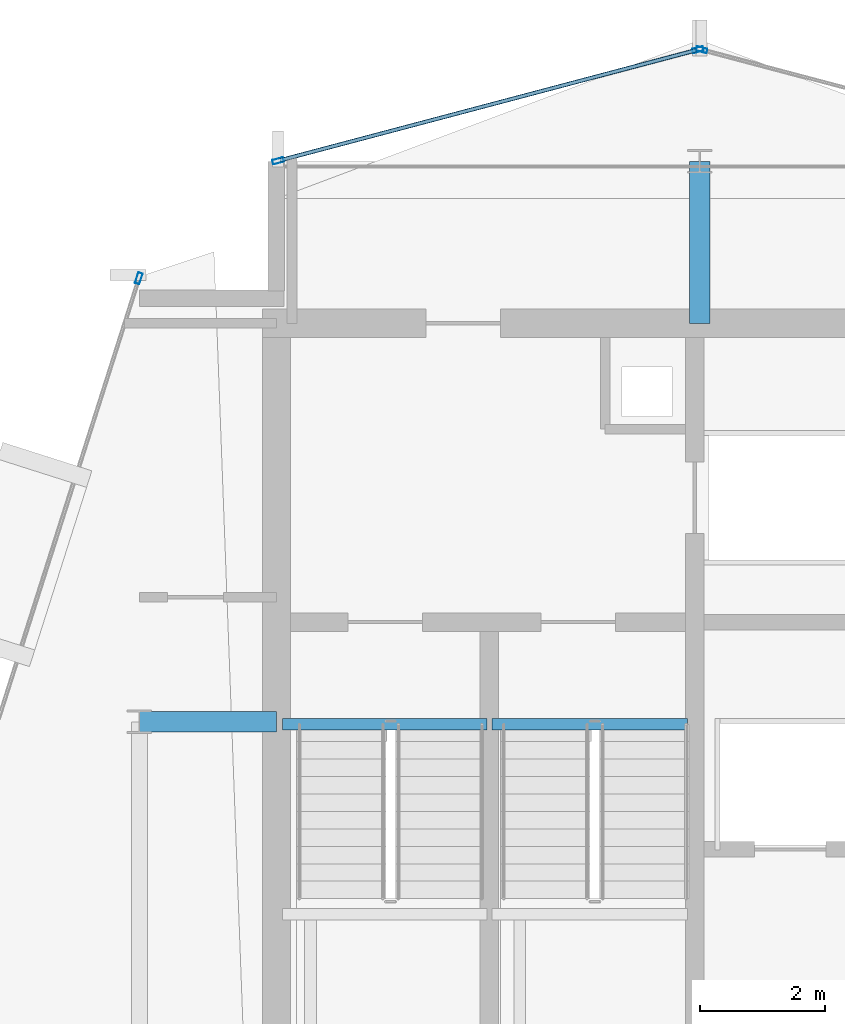
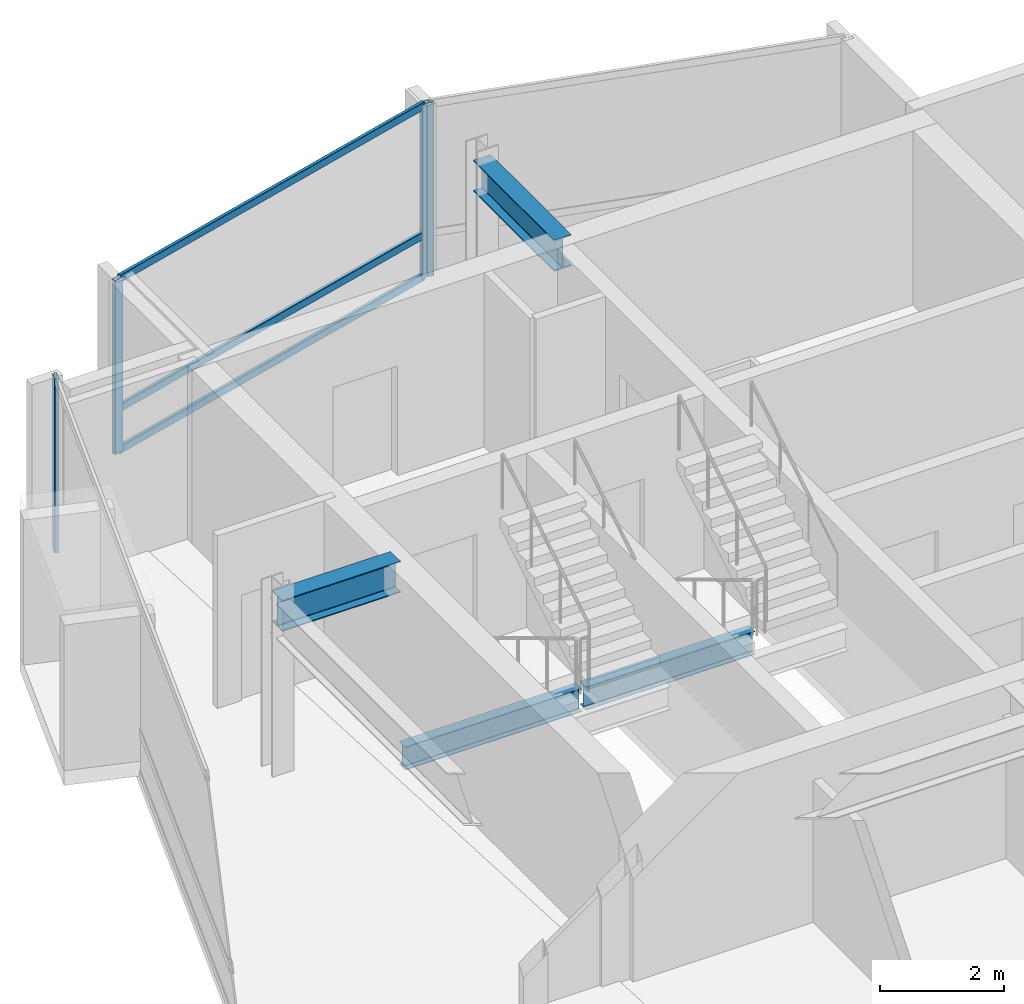
# One storey, part 11 of 19: 7 members, 4 beams, 3 elements without a shape of their own.
"""IFC4 building model written with IfcOpenShell, lengths in metres."""

from ifc_helpers import new_model, si_unit, direction, frame, origin, origin_2d, place, context, subcontext, project, spatial, hollow_rectangle, i_section, extrude, material, layer, layer_set, material_profile, profile_set, type_object, element, aggregate, save


model = new_model("IFC4")

# Units and contexts
model_context = context("Model", 3, precision=1e-05, world=origin(), true_north=direction((0.0, 1.0)))
body_context = subcontext(model_context, "Body", "Model", "MODEL_VIEW")
ifc_project = project(units=[si_unit("LENGTHUNIT", "METRE"), si_unit("AREAUNIT", "SQUARE_METRE"), si_unit("VOLUMEUNIT", "CUBIC_METRE"), si_unit("PLANEANGLEUNIT", "RADIAN"), si_unit("MASSUNIT", "GRAM", prefix="KILO")], contexts=[model_context])

# Site, building, storey
site_placement = place(None, origin())
site = spatial("IfcSite", under=ifc_project, at=site_placement, CompositionType="ELEMENT")
building_placement = place(site_placement, origin())
building = spatial("IfcBuilding", under=site, at=building_placement, Name="Solvaryn Broadcast Tower", CompositionType="ELEMENT")
storey_placement = place(building_placement, frame((0.0, 0.0, 270.39990234375)))
storey = spatial("IfcBuildingStorey", under=building, at=storey_placement, Name="L68", CompositionType="ELEMENT", Elevation=270.39990234375)

# Beams
ifc_material_1 = material(Name="Steel ASTM A992 Grade 50", Category="steel")
ifc_material_profile_1 = material_profile(ifc_material_1, i_section(OverallWidth=0.323974609375, OverallDepth=0.611083984375, WebThickness=0.0126953125, FlangeThickness=0.01904296875, FilletRadius=0.014892578125, at=origin_2d()))
ifc_profile_set_1 = profile_set([ifc_material_profile_1], Name="Steel ASTM A992 Grade 50")
beam_type_1 = type_object("IfcBeamType", Name="BM-B1-W24X104", PredefinedType="BEAM", material=ifc_profile_set_1)
beam_1_placement = place(storey_placement, frame((9.0, 36.0, 3.114501953125), z_axis=(1.0, 0.0, 0.0), x_axis=(0.0, 1.0, 0.0)))
element("IfcBeam", 1, at=beam_1_placement, inside=storey, type_object=beam_type_1, Name="L68 Core Tie Beam CTW1", PredefinedType="BEAM", context=body_context, shape_type="SweptSolid", body=[
    extrude(i_section(OverallWidth=0.323974609375, OverallDepth=0.611083984375, WebThickness=0.0126953125, FlangeThickness=0.01904296875, FilletRadius=0.014892578125, at=origin_2d()), origin(), (0.0, 0.0, 1.0), 2.199951171875),
])
beam_2_placement = place(storey_placement, frame((18.0, 42.39990234375, 3.114501953125), z_axis=(0.0, 1.0, 0.0), x_axis=(-1.0, 0.0, 0.0)))
element("IfcBeam", 2, at=beam_2_placement, inside=storey, type_object=beam_type_1, Name="L68 Core Tie Beam CTW3", PredefinedType="BEAM", context=body_context, shape_type="SweptSolid", body=[
    extrude(i_section(OverallWidth=0.323974609375, OverallDepth=0.611083984375, WebThickness=0.0126953125, FlangeThickness=0.01904296875, FilletRadius=0.014892578125, at=origin_2d()), origin(), (0.0, 0.0, 1.0), 2.60009765625),
])
ifc_material_2 = material(Name="Steel ASTM A992 Grade 50", Category="steel")
ifc_material_profile_2 = material_profile(ifc_material_2, i_section(OverallWidth=0.18994140625, OverallDepth=0.45703125, WebThickness=0.009033203125, FlangeThickness=0.014404296875, FilletRadius=0.011962890625, at=origin_2d()))
ifc_profile_set_2 = profile_set([ifc_material_profile_2], Name="Steel ASTM A992 Grade 50")
beam_type_2 = type_object("IfcBeamType", Name="BM-B4-W18X50", PredefinedType="BEAM", material=ifc_profile_set_2)
beam_3_placement = place(storey_placement, frame((11.300048828125, 35.9599609375, -0.50830078125), z_axis=(1.0, 0.0, 0.0), x_axis=(0.0, 1.0, 0.0)))
element("IfcBeam", 3, at=beam_3_placement, inside=storey, type_object=beam_type_2, Name="L68 ST1 Stair Well Trimmer Beam", PredefinedType="BEAM", context=body_context, shape_type="SweptSolid", body=[
    extrude(i_section(OverallWidth=0.18994140625, OverallDepth=0.45703125, WebThickness=0.009033203125, FlangeThickness=0.014404296875, FilletRadius=0.011962890625, at=origin_2d()), origin(), (0.0, 0.0, 1.0), 3.280029296875),
])
beam_4_placement = place(storey_placement, frame((14.659912109375, 35.9599609375, -0.50830078125), z_axis=(1.0, 0.0, 0.0), x_axis=(0.0, 1.0, 0.0)))
element("IfcBeam", 4, at=beam_4_placement, inside=storey, type_object=beam_type_2, Name="L68 ST2 Stair Well Trimmer Beam", PredefinedType="BEAM", context=body_context, shape_type="SweptSolid", body=[
    extrude(i_section(OverallWidth=0.18994140625, OverallDepth=0.45703125, WebThickness=0.009033203125, FlangeThickness=0.014404296875, FilletRadius=0.011962890625, at=origin_2d()), origin(), (0.0, 0.0, 1.0), 3.14013671875),
])

# Curtain wall, member
ifc_material_3 = material(Name="Aluminium and Terracotta Unitised Curtain Wall", Category="masonry")
ifc_layer = layer(ifc_material_3, 0.199951171875)
ifc_layer_set = layer_set([ifc_layer], Name="CW-SYS2-LOWMID")
curtain_wall_type = type_object("IfcCurtainWallType", Name="CW-SYS2-LOWMID", PredefinedType="NOTDEFINED", material=ifc_layer_set)
curtain_wall_1_placement = place(storey_placement, origin())
curtain_wall_1 = element("IfcCurtainWall", 5, at=curtain_wall_1_placement, inside=storey, type_object=curtain_wall_type, Name="L68 Curtain Wall DR1", PredefinedType="NOTDEFINED")
ifc_material_4 = material(Name="Anodised Aluminium 6063-T6", Category="aluminium")
ifc_material_profile_3 = material_profile(ifc_material_4, hollow_rectangle(XDim=0.074951171875, YDim=0.179931640625, WallThickness=0.00390625, InnerFilletRadius=0.00390625, OuterFilletRadius=0.008056640625, at=origin_2d()))
ifc_profile_set_3 = profile_set([ifc_material_profile_3], Name="Anodised Aluminium 6063-T6")
member_type_1 = type_object("IfcMemberType", Name="CW-MUL-180", PredefinedType="MULLION", material=ifc_profile_set_3)
member_1_placement = place(storey_placement, frame((8.990966796875, 43.120361328125, 0.0), z_axis=(0.0, 0.0, 1.0), x_axis=(0.952794594701, -0.30361564569, 0.0)))
member_1 = element("IfcMember", 6, at=member_1_placement, type_object=member_type_1, Name="CWS2 mullion 1", PredefinedType="MULLION", context=body_context, shape_type="SweptSolid", body=[
    extrude(hollow_rectangle(XDim=0.074951171875, YDim=0.179931640625, WallThickness=0.00390625, InnerFilletRadius=0.00390625, OuterFilletRadius=0.008056640625, at=origin_2d()), origin(), (0.0, 0.0, 1.0), 3.420166015625),
])
aggregate(curtain_wall_1, [member_1])

curtain_wall_2_placement = place(storey_placement, origin())
curtain_wall_2 = element("IfcCurtainWall", 7, at=curtain_wall_2_placement, inside=storey, type_object=curtain_wall_type, Name="L68 Curtain Wall NT1", PredefinedType="NOTDEFINED")
member_2_placement = place(storey_placement, frame((18.029052734375, 46.792236328125, 0.0), z_axis=(0.0, 0.0, 1.0), x_axis=(-0.25589256031, -0.966705227863, 0.0)))
member_2 = element("IfcMember", 8, at=member_2_placement, type_object=member_type_1, Name="CWS2 mullion 2", PredefinedType="MULLION", context=body_context, shape_type="SweptSolid", body=[
    extrude(hollow_rectangle(XDim=0.074951171875, YDim=0.179931640625, WallThickness=0.00390625, InnerFilletRadius=0.00390625, OuterFilletRadius=0.008056640625, at=origin_2d()), origin(), (0.0, 0.0, 1.0), 3.420166015625),
])
aggregate(curtain_wall_2, [member_2])

# Curtain wall, members
curtain_wall_3_placement = place(storey_placement, origin())
curtain_wall_3 = element("IfcCurtainWall", 9, at=curtain_wall_3_placement, inside=storey, type_object=curtain_wall_type, Name="L68 Curtain Wall NT2", PredefinedType="NOTDEFINED")
member_3_placement = place(storey_placement, frame((17.970947265625, 46.792236328125, 0.0), z_axis=(0.0, 0.0, 1.0), x_axis=(0.25589256031, -0.966705227863, 0.0)))
member_3 = element("IfcMember", 10, at=member_3_placement, type_object=member_type_1, Name="CWS2 mullion 1", PredefinedType="MULLION", context=body_context, shape_type="SweptSolid", body=[
    extrude(hollow_rectangle(XDim=0.074951171875, YDim=0.179931640625, WallThickness=0.00390625, InnerFilletRadius=0.00390625, OuterFilletRadius=0.008056640625, at=origin_2d()), origin(), (0.0, 0.0, 1.0), 3.420166015625),
])
member_4_placement = place(storey_placement, frame((11.22900390625, 45.007568359375, 0.0), z_axis=(0.0, 0.0, 1.0), x_axis=(0.25589256031, -0.966705227863, 0.0)))
member_4 = element("IfcMember", 11, at=member_4_placement, type_object=member_type_1, Name="CWS2 mullion 2", PredefinedType="MULLION", context=body_context, shape_type="SweptSolid", body=[
    extrude(hollow_rectangle(XDim=0.074951171875, YDim=0.179931640625, WallThickness=0.00390625, InnerFilletRadius=0.00390625, OuterFilletRadius=0.008056640625, at=origin_2d()), origin(), (0.0, 0.0, 1.0), 3.420166015625),
])
ifc_material_5 = material(Name="Anodised Aluminium 6063-T6", Category="aluminium")
ifc_material_profile_4 = material_profile(ifc_material_5, hollow_rectangle(XDim=0.06494140625, YDim=0.14990234375, WallThickness=0.00390625, InnerFilletRadius=0.00390625, OuterFilletRadius=0.008056640625, at=origin_2d()))
ifc_profile_set_4 = profile_set([ifc_material_profile_4], Name="Anodised Aluminium 6063-T6")
member_type_2 = type_object("IfcMemberType", Name="CW-TRN-150", PredefinedType="USERDEFINED", material=ifc_profile_set_4)
member_5_placement = place(storey_placement, frame((17.94189453125, 46.78466796875, 0.030029296875), z_axis=(-0.966703943301, -0.255897413051, 0.0), x_axis=(0.255897413051, -0.966703943301, 0.0)))
member_5 = element("IfcMember", 12, at=member_5_placement, type_object=member_type_2, Name="CWS2 transom 1.1", ObjectType="TRANSOM", PredefinedType="USERDEFINED", context=body_context, shape_type="SweptSolid", body=[
    extrude(hollow_rectangle(XDim=0.06494140625, YDim=0.14990234375, WallThickness=0.00390625, InnerFilletRadius=0.00390625, OuterFilletRadius=0.008056640625, at=origin_2d()), origin(), (0.0, 0.0, 1.0), 6.9140625),
])
member_6_placement = place(storey_placement, frame((17.94189453125, 46.78466796875, 0.85009765625), z_axis=(-0.966703943301, -0.255897413051, 0.0), x_axis=(0.255897413051, -0.966703943301, 0.0)))
member_6 = element("IfcMember", 13, at=member_6_placement, type_object=member_type_2, Name="CWS2 transom 1.2", ObjectType="TRANSOM", PredefinedType="USERDEFINED", context=body_context, shape_type="SweptSolid", body=[
    extrude(hollow_rectangle(XDim=0.06494140625, YDim=0.14990234375, WallThickness=0.00390625, InnerFilletRadius=0.00390625, OuterFilletRadius=0.008056640625, at=origin_2d()), origin(), (0.0, 0.0, 1.0), 6.9140625),
])
member_7_placement = place(storey_placement, frame((17.94189453125, 46.78466796875, 3.39013671875), z_axis=(-0.966703943301, -0.255897413051, 0.0), x_axis=(0.255897413051, -0.966703943301, 0.0)))
member_7 = element("IfcMember", 14, at=member_7_placement, type_object=member_type_2, Name="CWS2 transom 1.3", ObjectType="TRANSOM", PredefinedType="USERDEFINED", context=body_context, shape_type="SweptSolid", body=[
    extrude(hollow_rectangle(XDim=0.06494140625, YDim=0.14990234375, WallThickness=0.00390625, InnerFilletRadius=0.00390625, OuterFilletRadius=0.008056640625, at=origin_2d()), origin(), (0.0, 0.0, 1.0), 6.9140625),
])
aggregate(curtain_wall_3, [member_3, member_4, member_5, member_6, member_7])

save(model, "model.ifc")
